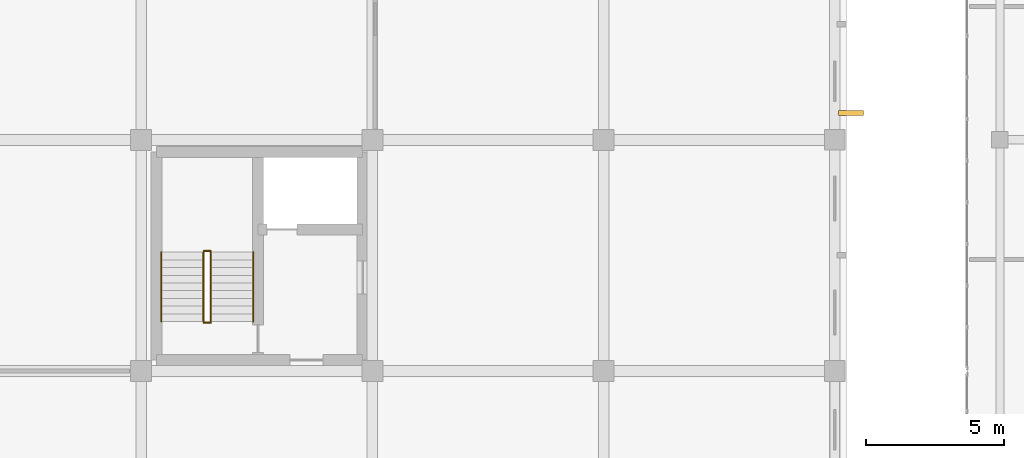
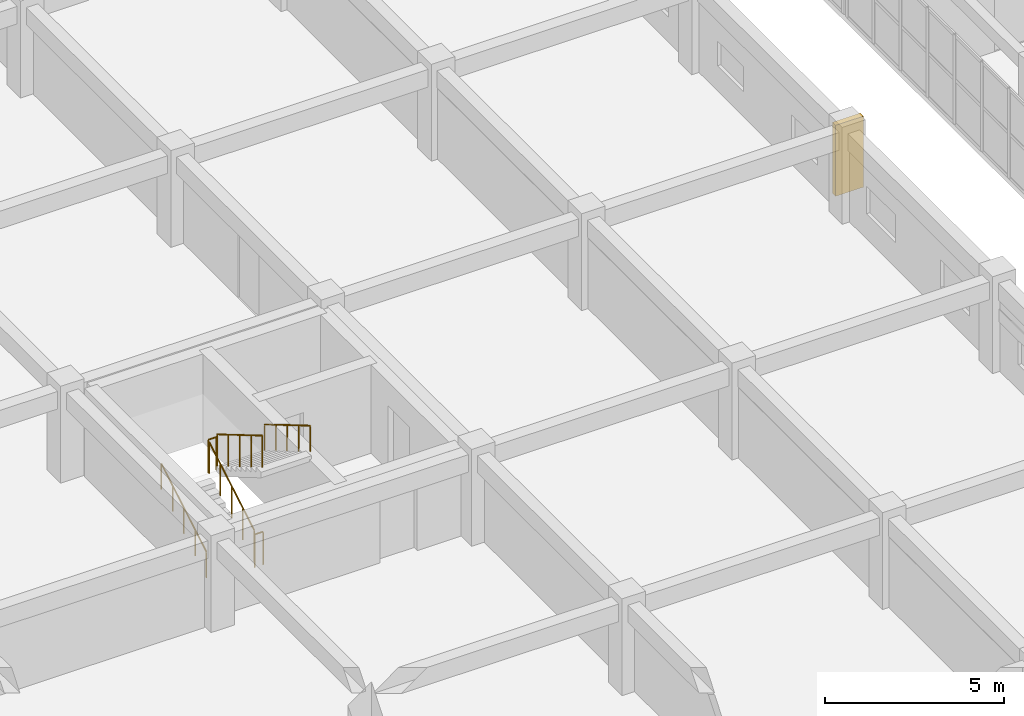
# One storey, part 191 of 200: 6 railings, 1 shading device.
"""IFC4 building model written with IfcOpenShell, lengths in metres."""

from ifc_helpers import new_model, si_unit, direction, frame, origin, origin_2d, place, context, subcontext, project, spatial, rectangle, circle, extrude, material, type_object, element, save


model = new_model("IFC4")

# Units and contexts
model_context = context("Model", 3, precision=1e-05, world=origin(), true_north=direction((0.0, 1.0)))
body_context = subcontext(model_context, "Body", "Model", "MODEL_VIEW")
ifc_project = project(units=[si_unit("LENGTHUNIT", "METRE"), si_unit("AREAUNIT", "SQUARE_METRE"), si_unit("VOLUMEUNIT", "CUBIC_METRE"), si_unit("PLANEANGLEUNIT", "RADIAN"), si_unit("MASSUNIT", "GRAM", prefix="KILO")], contexts=[model_context])

# Site, building, storey
site_placement = place(None, origin())
site = spatial("IfcSite", under=ifc_project, at=site_placement, CompositionType="ELEMENT")
building_placement = place(site_placement, origin())
building = spatial("IfcBuilding", under=site, at=building_placement, Name="Trelvath General Hospital", CompositionType="ELEMENT")
storey_placement = place(building_placement, frame((0.0, 0.0, 4.800048828125)))
storey = spatial("IfcBuildingStorey", under=building, at=storey_placement, Name="L01", CompositionType="ELEMENT", Elevation=4.800048828125)

# Shading device
ifc_material_1 = material(Name="Precast concrete C40/50", Category="concrete")
shading_device_type = type_object("IfcShadingDeviceType", Name="BriseSoleil PrecastFin900", PredefinedType="JALOUSIE", material=ifc_material_1)
shading_device_placement = place(storey_placement, frame((42.590087890625, 59.78271484375, 0.0), z_axis=(0.0, 0.0, 1.0), x_axis=(1.0, 0.0, 0.0)))
element("IfcShadingDevice", 1, at=shading_device_placement, inside=storey, type_object=shading_device_type, Name="Solar Brise-Soleil Screen L01-21", PredefinedType="JALOUSIE", context=body_context, shape_type="SweptSolid", body=[
    extrude(rectangle(XDim=0.89990234375, YDim=0.179931640625, at=origin_2d()), origin(), (0.0, 0.0, 1.0), 2.419921875),
])

# Railings
ifc_material_2 = material(Name="Architectural painted steel", Category="steel")
railing_type_1 = type_object("IfcRailingType", Name="Guardrail Terrace1150", PredefinedType="GUARDRAIL", material=ifc_material_2)
railing_1_placement = place(storey_placement, frame((19.070068359375, 52.159912109375, 0.0)))
element("IfcRailing", 2, at=railing_1_placement, inside=storey, type_object=railing_type_1, Name="Stair Well Edge Guard C8 L01 246", PredefinedType="GUARDRAIL", context=body_context, shape_type="SweptSolid", body=[
    extrude(circle(Radius=0.02392578125, at=origin_2d()), frame((0.0, 0.0, 1.1259765625), z_axis=(1.0, 0.0, 0.0), x_axis=(0.0, 1.0, 0.0)), (0.0, 0.0, 1.0), 0.260009765625),
    extrude(circle(Radius=0.02099609375, at=origin_2d()), origin(), (0.0, 0.0, 1.0), 1.099853515625),
    extrude(circle(Radius=0.02099609375, at=origin_2d()), frame((0.260009765625, 0.0, 0.0)), (0.0, 0.0, 1.0), 1.099853515625),
])
railing_2_placement = place(storey_placement, frame((19.330078125, 54.719970703125, 1.81494140625)))
element("IfcRailing", 3, at=railing_2_placement, inside=storey, type_object=railing_type_1, Name="Stair Rail ST8 L01 F2 L 248", PredefinedType="GUARDRAIL", context=body_context, shape_type="SweptSolid", body=[
    extrude(circle(Radius=0.02392578125, at=origin_2d()), frame((0.0, 0.0, 1.076171875), z_axis=(0.0, -0.86152411907, 0.507716645641), x_axis=(1.0, 0.0, 0.0)), (0.0, 0.0, 1.0), 2.925048828125),
    extrude(circle(Radius=0.02099609375, at=origin_2d()), origin(), (0.0, 0.0, 1.0), 1.050048828125),
    extrude(circle(Radius=0.02099609375, at=origin_2d()), frame((0.0, -0.6298828125, 0.371337890625)), (0.0, 0.0, 1.0), 1.050048828125),
    extrude(circle(Radius=0.02099609375, at=origin_2d()), frame((0.0, -1.260009765625, 0.74267578125)), (0.0, 0.0, 1.0), 1.050048828125),
    extrude(circle(Radius=0.02099609375, at=origin_2d()), frame((0.0, -1.89013671875, 1.11376953125)), (0.0, 0.0, 1.0), 1.050048828125),
    extrude(circle(Radius=0.02099609375, at=origin_2d()), frame((0.0, -2.52001953125, 1.485107421875)), (0.0, 0.0, 1.0), 1.050048828125),
])
railing_3_placement = place(storey_placement, frame((19.070068359375, 52.199951171875, 0.1650390625)))
element("IfcRailing", 4, at=railing_3_placement, inside=storey, type_object=railing_type_1, Name="Stair Rail ST8 L01 F1 R 249", PredefinedType="GUARDRAIL", context=body_context, shape_type="SweptSolid", body=[
    extrude(circle(Radius=0.02392578125, at=origin_2d()), frame((0.0, 0.0, 1.076171875), z_axis=(0.0, 0.861560626758, 0.507654692109), x_axis=(-1.0, 0.0, 0.0)), (0.0, 0.0, 1.0), 2.925048828125),
    extrude(circle(Radius=0.02099609375, at=origin_2d()), origin(), (0.0, 0.0, 1.0), 1.050048828125),
    extrude(circle(Radius=0.02099609375, at=origin_2d()), frame((0.0, 0.6298828125, 0.37109375)), (0.0, 0.0, 1.0), 1.050048828125),
    extrude(circle(Radius=0.02099609375, at=origin_2d()), frame((0.0, 1.260009765625, 0.742431640625)), (0.0, 0.0, 1.0), 1.050048828125),
    extrude(circle(Radius=0.02099609375, at=origin_2d()), frame((0.0, 1.89013671875, 1.11376953125)), (0.0, 0.0, 1.0), 1.050048828125),
    extrude(circle(Radius=0.02099609375, at=origin_2d()), frame((0.0, 2.52001953125, 1.48486328125)), (0.0, 0.0, 1.0), 1.050048828125),
])
railing_4_placement = place(storey_placement, frame((19.070068359375, 54.760009765625, 1.64990234375)))
element("IfcRailing", 5, at=railing_4_placement, inside=storey, type_object=railing_type_1, Name="Half-Landing Well Guard ST8 L01 251", PredefinedType="GUARDRAIL", context=body_context, shape_type="SweptSolid", body=[
    extrude(circle(Radius=0.02392578125, at=origin_2d()), frame((0.0, 0.0, 1.1259765625), z_axis=(1.0, 0.0, 0.0), x_axis=(0.0, 1.0, 0.0)), (0.0, 0.0, 1.0), 0.260009765625),
    extrude(circle(Radius=0.02099609375, at=origin_2d()), origin(), (0.0, 0.0, 1.0), 1.099853515625),
    extrude(circle(Radius=0.02099609375, at=origin_2d()), frame((0.260009765625, 0.0, 0.0)), (0.0, 0.0, 1.0), 1.099853515625),
])
ifc_material_3 = material(Name="Brushed stainless steel", Category="steel")
railing_type_2 = type_object("IfcRailingType", Name="Handrail Stair900", PredefinedType="HANDRAIL", material=ifc_material_3)
railing_5_placement = place(storey_placement, frame((17.530029296875, 52.199951171875, 0.1650390625)))
element("IfcRailing", 6, at=railing_5_placement, inside=storey, type_object=railing_type_2, Name="Stair Rail ST8 L01 F1 L 247", PredefinedType="HANDRAIL", context=body_context, shape_type="SweptSolid", body=[
    extrude(circle(Radius=0.02392578125, at=origin_2d()), frame((0.0, 0.0, 0.8759765625), z_axis=(0.0, 0.861560626758, 0.507654692109), x_axis=(-1.0, 0.0, 0.0)), (0.0, 0.0, 1.0), 2.925048828125),
    extrude(circle(Radius=0.02099609375, at=origin_2d()), origin(), (0.0, 0.0, 1.0), 0.849853515625),
    extrude(circle(Radius=0.02099609375, at=origin_2d()), frame((0.0, 0.6298828125, 0.37109375)), (0.0, 0.0, 1.0), 0.849853515625),
    extrude(circle(Radius=0.02099609375, at=origin_2d()), frame((0.0, 1.260009765625, 0.742431640625)), (0.0, 0.0, 1.0), 0.849853515625),
    extrude(circle(Radius=0.02099609375, at=origin_2d()), frame((0.0, 1.89013671875, 1.11376953125)), (0.0, 0.0, 1.0), 0.849853515625),
    extrude(circle(Radius=0.02099609375, at=origin_2d()), frame((0.0, 2.52001953125, 1.48486328125)), (0.0, 0.0, 1.0), 0.849853515625),
])
railing_6_placement = place(storey_placement, frame((20.8701171875, 54.719970703125, 1.81494140625)))
element("IfcRailing", 7, at=railing_6_placement, inside=storey, type_object=railing_type_2, Name="Stair Rail ST8 L01 F2 R 250", PredefinedType="HANDRAIL", context=body_context, shape_type="SweptSolid", body=[
    extrude(circle(Radius=0.02392578125, at=origin_2d()), frame((0.0, 0.0, 0.8759765625), z_axis=(0.0, -0.86152411907, 0.507716645641), x_axis=(1.0, 0.0, 0.0)), (0.0, 0.0, 1.0), 2.925048828125),
    extrude(circle(Radius=0.02099609375, at=origin_2d()), origin(), (0.0, 0.0, 1.0), 0.849853515625),
    extrude(circle(Radius=0.02099609375, at=origin_2d()), frame((0.0, -0.6298828125, 0.371337890625)), (0.0, 0.0, 1.0), 0.849853515625),
    extrude(circle(Radius=0.02099609375, at=origin_2d()), frame((0.0, -1.260009765625, 0.74267578125)), (0.0, 0.0, 1.0), 0.849853515625),
    extrude(circle(Radius=0.02099609375, at=origin_2d()), frame((0.0, -1.89013671875, 1.11376953125)), (0.0, 0.0, 1.0), 0.849853515625),
    extrude(circle(Radius=0.02099609375, at=origin_2d()), frame((0.0, -2.52001953125, 1.485107421875)), (0.0, 0.0, 1.0), 0.849853515625),
])

save(model, "model.ifc")
